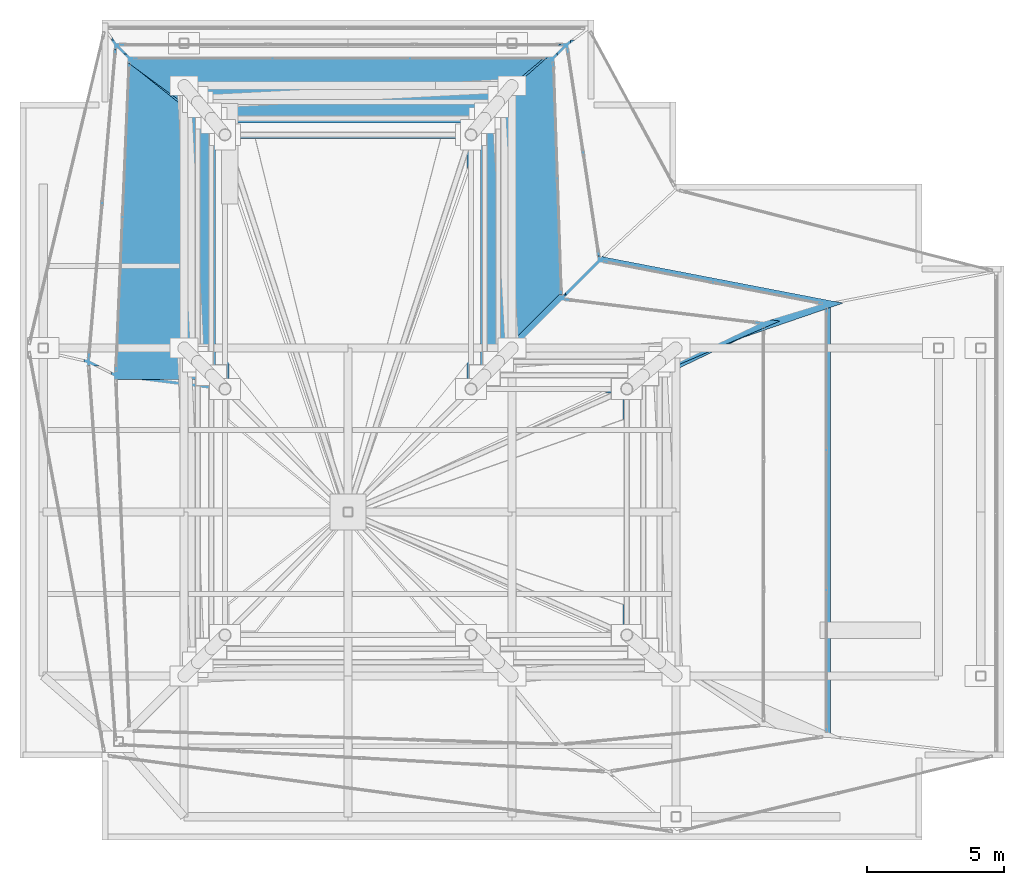
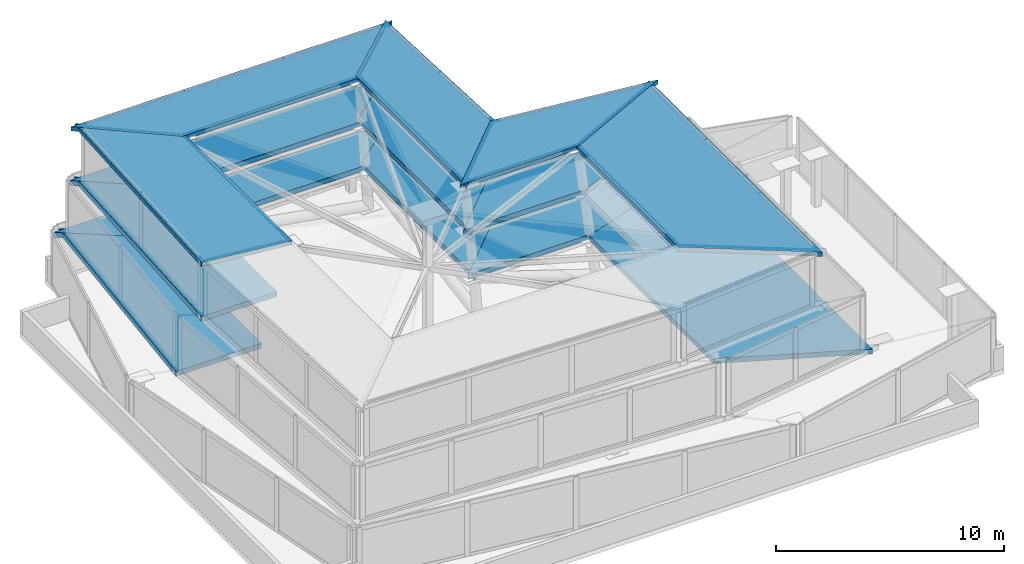
# One storey, part 14 of 15: 14 discrete accessories.
"""IFC4 building model written with IfcOpenShell, lengths in metres."""

from ifc_helpers import new_model, si_unit, direction, frame, origin, place, context, subcontext, project, spatial, polyline, outline, extrude, material, type_object, element, save


model = new_model("IFC4")

# Units and contexts
model_context = context("Model", 3, precision=1e-05, world=origin(), true_north=direction((0.0, 1.0)))
body_context = subcontext(model_context, "Body", "Model", "MODEL_VIEW")
ifc_project = project(units=[si_unit("LENGTHUNIT", "METRE"), si_unit("AREAUNIT", "SQUARE_METRE"), si_unit("VOLUMEUNIT", "CUBIC_METRE"), si_unit("PLANEANGLEUNIT", "RADIAN"), si_unit("MASSUNIT", "GRAM", prefix="KILO"), si_unit("THERMODYNAMICTEMPERATUREUNIT", "KELVIN"), si_unit("POWERUNIT", "WATT")], contexts=[model_context])

# Site, building, storey
site_placement = place(None, origin())
site = spatial("IfcSite", under=ifc_project, at=site_placement, CompositionType="ELEMENT")
building_placement = place(site_placement, origin())
building = spatial("IfcBuilding", under=site, at=building_placement, Name="Svarakhadi Broadcast Tower", CompositionType="ELEMENT")
storey_placement = place(building_placement, frame((0.0, 0.0, 310.5)))
storey = spatial("IfcBuildingStorey", under=building, at=storey_placement, Name="RF", CompositionType="ELEMENT", Elevation=310.5)

# Discrete accessories
ifc_material = material(Name="Structural steel E450BR (IS 2062)", Category="steel")
discrete_accessory_type = type_object("IfcDiscreteAccessoryType", Name="Bracket_Crown_CB01", PredefinedType="BRACKET", material=ifc_material)
discrete_accessory_1_placement = place(storey_placement, frame((0.0, 0.0, 2.679931640625)))
element("IfcDiscreteAccessory", 1, at=discrete_accessory_1_placement, inside=storey, type_object=discrete_accessory_type, Name="Crown Tier 2 Curtain Wall Outrigger Support Bracket 3", PredefinedType="BRACKET", context=body_context, shape_type="SweptSolid", body=[
    extrude(outline(polyline([(29.659912109375, 3.55419921875), (23.239990234375, 6.395751953125), (23.239990234375, 17.614013671875), (29.659912109375, 19.82421875), (29.659912109375, 3.55419921875)])), origin(), (0.0, 0.0, 1.0), 0.26513671875),
])
discrete_accessory_2_placement = place(storey_placement, frame((0.0, 0.0, 2.679931640625)))
element("IfcDiscreteAccessory", 2, at=discrete_accessory_2_placement, inside=storey, type_object=discrete_accessory_type, Name="Crown Tier 2 Curtain Wall Outrigger Support Bracket 4", PredefinedType="BRACKET", context=body_context, shape_type="SweptSolid", body=[
    extrude(outline(polyline([(17.11376953125, 17.340087890625), (21.14697265625, 21.373291015625), (30.118408203125, 19.643798828125), (23.4267578125, 17.340087890625), (17.11376953125, 17.340087890625)])), origin(), (0.0, 0.0, 1.0), 0.26513671875),
])
discrete_accessory_3_placement = place(storey_placement, frame((0.0, 0.0, 2.679931640625)))
element("IfcDiscreteAccessory", 3, at=discrete_accessory_3_placement, inside=storey, type_object=discrete_accessory_type, Name="Crown Tier 2 Curtain Wall Outrigger Support Bracket 5", PredefinedType="BRACKET", context=body_context, shape_type="SweptSolid", body=[
    extrude(outline(polyline([(17.340087890625, 17.11376953125), (17.340087890625, 27.07470703125), (20.115478515625, 29.406005859375), (21.370361328125, 21.14404296875), (17.340087890625, 17.11376953125)])), origin(), (0.0, 0.0, 1.0), 0.26513671875),
])
discrete_accessory_4_placement = place(storey_placement, frame((0.0, 0.0, 2.679931640625)))
element("IfcDiscreteAccessory", 4, at=discrete_accessory_4_placement, inside=storey, type_object=discrete_accessory_type, Name="Crown Tier 2 Curtain Wall Outrigger Support Bracket 6", PredefinedType="BRACKET", context=body_context, shape_type="SweptSolid", body=[
    extrude(outline(polyline([(6.44970703125, 26.840087890625), (2.992431640625, 29.260009765625), (20.439208984375, 29.260009765625), (17.558349609375, 26.840087890625), (6.44970703125, 26.840087890625)])), origin(), (0.0, 0.0, 1.0), 0.26513671875),
])
discrete_accessory_5_placement = place(storey_placement, frame((0.0, 0.0, 2.679931640625)))
element("IfcDiscreteAccessory", 5, at=discrete_accessory_5_placement, inside=storey, type_object=discrete_accessory_type, Name="Crown Tier 2 Curtain Wall Outrigger Support Bracket 7", PredefinedType="BRACKET", context=body_context, shape_type="SweptSolid", body=[
    extrude(outline(polyline([(2.32568359375, 17.340087890625), (3.364501953125, 29.39013671875), (6.659912109375, 27.083251953125), (6.659912109375, 17.340087890625), (2.32568359375, 17.340087890625)])), origin(), (0.0, 0.0, 1.0), 0.26513671875),
])
discrete_accessory_6_placement = place(storey_placement, frame((0.0, 0.0, 8.47998046875)))
element("IfcDiscreteAccessory", 6, at=discrete_accessory_6_placement, inside=storey, type_object=discrete_accessory_type, Name="Crown Tier 3 Step Deck Outrigger Support Bracket 3", PredefinedType="BRACKET", context=body_context, shape_type="SweptSolid", body=[
    extrude(outline(polyline([(27.340087890625, 3.93994140625), (22.06005859375, 7.4248046875), (22.06005859375, 16.588134765625), (27.340087890625, 19.12255859375), (27.340087890625, 3.93994140625)])), origin(), (0.0, 0.0, 1.0), 0.22509765625),
])
discrete_accessory_7_placement = place(storey_placement, frame((0.0, 0.0, 5.580078125)))
element("IfcDiscreteAccessory", 7, at=discrete_accessory_7_placement, inside=storey, type_object=discrete_accessory_type, Name="Crown Tier 3 Curtain Wall Outrigger Support Bracket 4", PredefinedType="BRACKET", context=body_context, shape_type="SweptSolid", body=[
    extrude(outline(polyline([(16.61376953125, 16.840087890625), (19.741943359375, 19.96826171875), (27.80615234375, 18.987548828125), (22.8330078125, 16.840087890625), (16.61376953125, 16.840087890625)])), origin(), (0.0, 0.0, 1.0), 0.264892578125),
])
discrete_accessory_8_placement = place(storey_placement, frame((0.0, 0.0, 8.47998046875)))
element("IfcDiscreteAccessory", 8, at=discrete_accessory_8_placement, inside=storey, type_object=discrete_accessory_type, Name="Crown Tier 3 Step Deck Outrigger Support Bracket 4", PredefinedType="BRACKET", context=body_context, shape_type="SweptSolid", body=[
    extrude(outline(polyline([(16.162109375, 16.360107421875), (19.749267578125, 19.947265625), (27.6923828125, 18.981201171875), (22.23193359375, 16.360107421875), (16.162109375, 16.360107421875)])), origin(), (0.0, 0.0, 1.0), 0.22509765625),
])
discrete_accessory_9_placement = place(storey_placement, frame((0.0, 0.0, 5.580078125)))
element("IfcDiscreteAccessory", 9, at=discrete_accessory_9_placement, inside=storey, type_object=discrete_accessory_type, Name="Crown Tier 3 Curtain Wall Outrigger Support Bracket 5", PredefinedType="BRACKET", context=body_context, shape_type="SweptSolid", body=[
    extrude(outline(polyline([(16.840087890625, 16.61376953125), (16.840087890625, 26.472412109375), (19.6484375, 28.943603515625), (19.96240234375, 19.736083984375), (16.840087890625, 16.61376953125)])), origin(), (0.0, 0.0, 1.0), 0.264892578125),
])
discrete_accessory_10_placement = place(storey_placement, frame((0.0, 0.0, 8.47998046875)))
element("IfcDiscreteAccessory", 10, at=discrete_accessory_10_placement, inside=storey, type_object=discrete_accessory_type, Name="Crown Tier 3 Step Deck Outrigger Support Bracket 5", PredefinedType="BRACKET", context=body_context, shape_type="SweptSolid", body=[
    extrude(outline(polyline([(16.360107421875, 16.162109375), (16.360107421875, 25.86083984375), (19.62939453125, 28.912353515625), (19.94189453125, 19.743896484375), (16.360107421875, 16.162109375)])), origin(), (0.0, 0.0, 1.0), 0.22509765625),
])
discrete_accessory_11_placement = place(storey_placement, frame((0.0, 0.0, 5.580078125)))
element("IfcDiscreteAccessory", 11, at=discrete_accessory_11_placement, inside=storey, type_object=discrete_accessory_type, Name="Crown Tier 3 Curtain Wall Outrigger Support Bracket 6", PredefinedType="BRACKET", context=body_context, shape_type="SweptSolid", body=[
    extrude(outline(polyline([(6.947509765625, 26.239990234375), (3.51123046875, 28.760009765625), (19.924072265625, 28.760009765625), (17.060302734375, 26.239990234375), (6.947509765625, 26.239990234375)])), origin(), (0.0, 0.0, 1.0), 0.264892578125),
])
discrete_accessory_12_placement = place(storey_placement, frame((0.0, 0.0, 8.47998046875)))
element("IfcDiscreteAccessory", 12, at=discrete_accessory_12_placement, inside=storey, type_object=discrete_accessory_type, Name="Crown Tier 3 Step Deck Outrigger Support Bracket 6", PredefinedType="BRACKET", context=body_context, shape_type="SweptSolid", body=[
    extrude(outline(polyline([(7.450927734375, 25.659912109375), (3.600830078125, 28.739990234375), (19.855224609375, 28.739990234375), (16.55517578125, 25.659912109375), (7.450927734375, 25.659912109375)])), origin(), (0.0, 0.0, 1.0), 0.22509765625),
])
discrete_accessory_13_placement = place(storey_placement, frame((0.0, 0.0, 5.580078125)))
element("IfcDiscreteAccessory", 13, at=discrete_accessory_13_placement, inside=storey, type_object=discrete_accessory_type, Name="Crown Tier 3 Curtain Wall Outrigger Support Bracket 7", PredefinedType="BRACKET", context=body_context, shape_type="SweptSolid", body=[
    extrude(outline(polyline([(3.3330078125, 16.840087890625), (3.85302734375, 28.90625), (7.159912109375, 26.481201171875), (7.159912109375, 16.840087890625), (3.3330078125, 16.840087890625)])), origin(), (0.0, 0.0, 1.0), 0.264892578125),
])
discrete_accessory_14_placement = place(storey_placement, frame((0.0, 0.0, 8.47998046875)))
element("IfcDiscreteAccessory", 14, at=discrete_accessory_14_placement, inside=storey, type_object=discrete_accessory_type, Name="Crown Tier 3 Step Deck Outrigger Support Bracket 7", PredefinedType="BRACKET", context=body_context, shape_type="SweptSolid", body=[
    extrude(outline(polyline([(7.639892578125, 16.34130859375), (3.3544921875, 16.877197265625), (3.8720703125, 28.881591796875), (7.639892578125, 25.8671875), (7.639892578125, 16.34130859375)])), origin(), (0.0, 0.0, 1.0), 0.22509765625),
])

save(model, "model.ifc")
